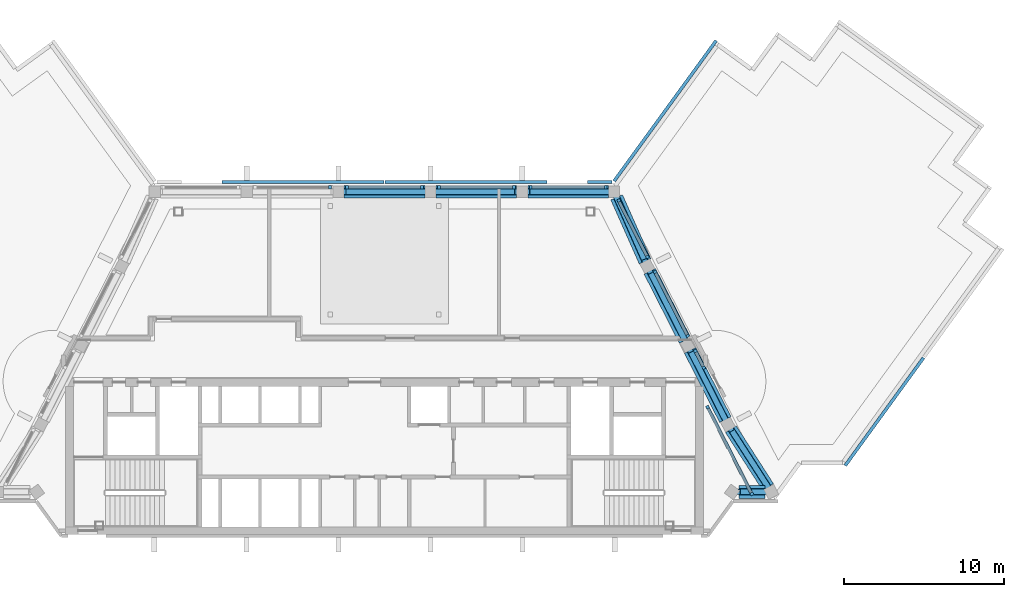
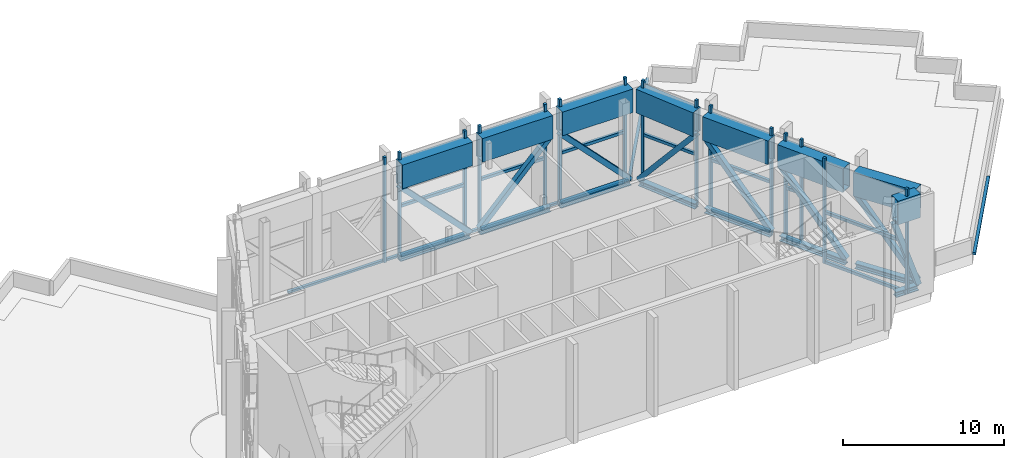
"""IFC4 building model written with IfcOpenShell, lengths in metres."""

from ifc_helpers import new_model, si_unit, direction, frame, origin, origin_2d, place, context, subcontext, project, spatial, rectangle, hollow_rectangle, i_section, extrude, material, material_profile, profile_set, type_object, element, aggregate, save


model = new_model("IFC4")

# Units and contexts
model_context = context("Model", 3, precision=1e-05, world=origin(), true_north=direction((0.0, 1.0)))
body_context = subcontext(model_context, "Body", "Model", "MODEL_VIEW")
ifc_project = project(units=[si_unit("LENGTHUNIT", "METRE"), si_unit("AREAUNIT", "SQUARE_METRE"), si_unit("VOLUMEUNIT", "CUBIC_METRE"), si_unit("PLANEANGLEUNIT", "RADIAN"), si_unit("MASSUNIT", "GRAM", prefix="KILO")], contexts=[model_context])

# Site, building, storey
site_placement = place(None, origin())
site = spatial("IfcSite", under=ifc_project, at=site_placement, CompositionType="ELEMENT")
building_placement = place(site_placement, origin())
building = spatial("IfcBuilding", under=site, at=building_placement, Name="Quipu Civic Tower", CompositionType="ELEMENT")
storey_1_placement = place(building_placement, frame((0.0, 0.0, 355.0)))
storey_1 = spatial("IfcBuildingStorey", under=building, at=storey_1_placement, Name="L83", CompositionType="ELEMENT", Elevation=355.0)

# Beams
ifc_material_1 = material(Name="Steel ASTM A992 Grade 50 (fy 345 MPa)", Category="steel")
ifc_material_profile_1 = material_profile(ifc_material_1, i_section(OverallWidth=0.403564453125, OverallDepth=0.407470703125, WebThickness=0.027099609375, FlangeThickness=0.043701171875, at=origin_2d()), Name="W360x347")
ifc_profile_set_1 = profile_set([ifc_material_profile_1], Name="Steel ASTM A992 Grade 50 (fy 345 MPa)")
beam_type_1 = type_object("IfcBeamType", Name="Belt truss bottom chord W360x347", PredefinedType="BEAM", material=ifc_profile_set_1)
beam_1_placement = place(storey_1_placement, frame((22.224365234375, -8.31494140625, 0.3037109375), z_axis=(1.0, 0.0, 0.0), x_axis=(0.0, 1.0, 0.0)))
element("IfcBeam", 1, at=beam_1_placement, inside=storey_1, type_object=beam_type_1, Name="Truss bottom chord L83 J-Eo.1 to J-Eo.2", PredefinedType="BEAM", context=body_context, shape_type="SweptSolid", body=[
    extrude(i_section(OverallWidth=0.403564453125, OverallDepth=0.407470703125, WebThickness=0.027099609375, FlangeThickness=0.043701171875, at=origin_2d()), origin(), (0.0, 0.0, 1.0), 1.617919921875),
])
beam_2_placement = place(storey_1_placement, frame((24.044921875, -8.01904296875, 0.3037109375), z_axis=(-0.540214613437, 0.841527285017, 0.0), x_axis=(-0.841527285017, -0.540214613437, 0.0)))
element("IfcBeam", 2, at=beam_2_placement, inside=storey_1, type_object=beam_type_1, Name="Truss bottom chord L83 J-Eo.2 to E-SIDE-01", PredefinedType="BEAM", context=body_context, shape_type="SweptSolid", body=[
    extrude(i_section(OverallWidth=0.403564453125, OverallDepth=0.407470703125, WebThickness=0.027099609375, FlangeThickness=0.043701171875, at=origin_2d()), origin(), (0.0, 0.0, 1.0), 4.318603515625),
])
for number, where, z_axis, x_axis, name in (
    (3, (21.363037109375, -3.77685546875, 0.3037109375), (-0.453932554321, 0.89103604648, 0.0), (-0.89103604648, -0.453932554321, 0.0), "Truss bottom chord L83 E-SIDE-01 to E-SIDE-02"),
    (4, (18.83935546875, 1.17724609375, 0.3037109375), (-0.453932554321, 0.89103604648, 0.0), (-0.89103604648, -0.453932554321, 0.0), "Truss bottom chord L83 E-SIDE-02 to E-SIDE-03"),
):
    element("IfcBeam", number, at=place(storey_1_placement, frame(where, z_axis=z_axis, x_axis=x_axis)), inside=storey_1, type_object=beam_type_1, Name=name, PredefinedType="BEAM", context=body_context, shape_type="SweptSolid", body=[
        extrude(i_section(OverallWidth=0.403564453125, OverallDepth=0.407470703125, WebThickness=0.027099609375, FlangeThickness=0.043701171875, at=origin_2d()), origin(), (0.0, 0.0, 1.0), 4.85986328125),
    ])
beam_3_placement = place(storey_1_placement, frame((16.33203125, 6.1396484375, 0.3037109375), z_axis=(-0.405931965604, 0.913903298659, 0.0), x_axis=(-0.913903298659, -0.405931965604, 0.0)))
element("IfcBeam", 5, at=beam_3_placement, inside=storey_1, type_object=beam_type_1, Name="Truss bottom chord L83 E-SIDE-03 to J-Ei.0", PredefinedType="BEAM", context=body_context, shape_type="SweptSolid", body=[
    extrude(i_section(OverallWidth=0.403564453125, OverallDepth=0.407470703125, WebThickness=0.027099609375, FlangeThickness=0.043701171875, at=origin_2d()), origin(), (0.0, 0.0, 1.0), 4.387939453125),
])
for number, where, z_axis, x_axis, name in (
    (6, (14.045166015625, 10.5, 0.3037109375), (-1.0, 0.0, 0.0), (0.0, -1.0, 0.0), "Truss bottom chord L83 J-Ei.0 to FRONT-01"),
    (7, (8.287109375, 10.5, 0.3037109375), (-1.0, 0.0, 0.0), (0.0, -1.0, 0.0), "Truss bottom chord L83 FRONT-01 to FRONT-02"),
    (8, (2.529052734375, 10.5, 0.3037109375), (-1.0, 0.0, 0.0), (0.0, -1.0, 0.0), "Truss bottom chord L83 FRONT-02 to FRONT-03"),
):
    element("IfcBeam", number, at=place(storey_1_placement, frame(where, z_axis=z_axis, x_axis=x_axis)), inside=storey_1, type_object=beam_type_1, Name=name, PredefinedType="BEAM", context=body_context, shape_type="SweptSolid", body=[
        extrude(i_section(OverallWidth=0.403564453125, OverallDepth=0.407470703125, WebThickness=0.027099609375, FlangeThickness=0.043701171875, at=origin_2d()), origin(), (0.0, 0.0, 1.0), 5.05810546875),
    ])

# Members
ifc_material_2 = material(Name="Steel ASTM A500 Grade C (fy 345 MPa)", Category="steel")
ifc_material_profile_2 = material_profile(ifc_material_2, hollow_rectangle(XDim=0.355712890625, YDim=0.355712890625, WallThickness=0.015869140625, at=origin_2d()), Name="HSS356x356x16")
ifc_profile_set_2 = profile_set([ifc_material_profile_2], Name="Steel ASTM A500 Grade C (fy 345 MPa)")
member_type_1 = type_object("IfcMemberType", Name="Belt truss diagonal HSS356x356x16", PredefinedType="BRACE", material=ifc_profile_set_2)
member_1_placement = place(storey_1_placement, frame((22.141845703125, -8.31494140625, 5.75), z_axis=(0.315511808856, 0.0, -0.948921650334), x_axis=(0.0, 1.0, 0.0)))
element("IfcMember", 9, at=member_1_placement, inside=storey_1, type_object=member_type_1, Name="Truss diagonal L83 J-Eo.1 to J-Eo.2", PredefinedType="BRACE", context=body_context, shape_type="SweptSolid", body=[
    extrude(hollow_rectangle(XDim=0.355712890625, YDim=0.355712890625, WallThickness=0.015869140625, at=origin_2d()), origin(), (0.0, 0.0, 1.0), 5.52490234375),
])
member_2_placement = place(storey_1_placement, frame((24.0458984375, -8.0205078125, 0.50732421875), z_axis=(-0.343616411936, 0.535312904426, 0.771600839686), x_axis=(-0.841545346003, -0.540186477636, 0.0)))
element("IfcMember", 10, at=member_2_placement, inside=storey_1, type_object=member_type_1, Name="Truss diagonal L83 J-Eo.2 to E-SIDE-01", PredefinedType="BRACE", context=body_context, shape_type="SweptSolid", body=[
    extrude(hollow_rectangle(XDim=0.355712890625, YDim=0.355712890625, WallThickness=0.015869140625, at=origin_2d()), origin(), (0.0, 0.0, 1.0), 6.79443359375),
])
for number, where, z_axis, x_axis, name in (
    (11, (21.363037109375, -3.77685546875, 0.50732421875), (-0.308594905717, 0.605748986576, 0.733373949243), (-0.89103604648, -0.453932554321, 0.0), "Truss diagonal L83 E-SIDE-01 to E-SIDE-02"),
    (12, (18.83935546875, 1.17724609375, 0.50732421875), (-0.308594905717, 0.605748986576, 0.733373949243), (-0.89103604648, -0.453932554321, 0.0), "Truss diagonal L83 E-SIDE-02 to E-SIDE-03"),
):
    element("IfcMember", number, at=place(storey_1_placement, frame(where, z_axis=z_axis, x_axis=x_axis)), inside=storey_1, type_object=member_type_1, Name=name, PredefinedType="BRACE", context=body_context, shape_type="SweptSolid", body=[
        extrude(hollow_rectangle(XDim=0.355712890625, YDim=0.355712890625, WallThickness=0.015869140625, at=origin_2d()), origin(), (0.0, 0.0, 1.0), 7.148681640625),
    ])
member_3_placement = place(storey_1_placement, frame((16.332275390625, 6.13916015625, 5.75), z_axis=(-0.261712709864, 0.589209572044, -0.76442039331), x_axis=(-0.913902600331, -0.405933537798, 0.0)))
element("IfcMember", 13, at=member_3_placement, inside=storey_1, type_object=member_type_1, Name="Truss diagonal L83 E-SIDE-03 to J-Ei.0", PredefinedType="BRACE", context=body_context, shape_type="SweptSolid", body=[
    extrude(hollow_rectangle(XDim=0.355712890625, YDim=0.355712890625, WallThickness=0.015869140625, at=origin_2d()), origin(), (0.0, 0.0, 1.0), 6.8583984375),
])
for number, where, z_axis, x_axis, name in (
    (14, (14.045166015625, 10.5, 0.50732421875), (-0.694325328762, 0.0, 0.719661266041), (0.0, -1.0, 0.0), "Truss diagonal L83 J-Ei.0 to FRONT-01"),
    (15, (8.287109375, 10.5, 5.75), (-0.694325328762, 0.0, -0.719661266041), (0.0, -1.0, 0.0), "Truss diagonal L83 FRONT-01 to FRONT-02"),
    (16, (2.529052734375, 10.5, 0.50732421875), (-0.694325328762, 0.0, 0.719661266041), (0.0, -1.0, 0.0), "Truss diagonal L83 FRONT-02 to FRONT-03"),
):
    element("IfcMember", number, at=place(storey_1_placement, frame(where, z_axis=z_axis, x_axis=x_axis)), inside=storey_1, type_object=member_type_1, Name=name, PredefinedType="BRACE", context=body_context, shape_type="SweptSolid", body=[
        extrude(hollow_rectangle(XDim=0.355712890625, YDim=0.355712890625, WallThickness=0.015869140625, at=origin_2d()), origin(), (0.0, 0.0, 1.0), 7.284912109375),
    ])

# Beams
ifc_material_3 = material(Name="Steel ASTM A572 Grade 50 (fy 345 MPa)", Category="steel")
ifc_material_profile_3 = material_profile(ifc_material_3, hollow_rectangle(XDim=0.800048828125, YDim=1.800048828125, WallThickness=0.050048828125, at=origin_2d()), Name="BX1800x800x50")
ifc_profile_set_3 = profile_set([ifc_material_profile_3], Name="Steel ASTM A572 Grade 50 (fy 345 MPa)")
beam_type_2 = type_object("IfcBeamType", Name="Belt truss top chord BX1800x800x50", PredefinedType="BEAM", material=ifc_profile_set_3)
beam_4_placement = place(storey_1_placement, frame((22.224365234375, -8.31494140625, 6.64990234375), z_axis=(1.0, 0.0, 0.0), x_axis=(0.0, 1.0, 0.0)))
element("IfcBeam", 17, at=beam_4_placement, inside=storey_1, type_object=beam_type_2, Name="Truss top chord L83 J-Eo.1 to J-Eo.2", PredefinedType="BEAM", context=body_context, shape_type="SweptSolid", body=[
    extrude(hollow_rectangle(XDim=0.800048828125, YDim=1.800048828125, WallThickness=0.050048828125, at=origin_2d()), origin(), (0.0, 0.0, 1.0), 1.617919921875),
])
beam_5_placement = place(storey_1_placement, frame((24.044921875, -8.01904296875, 6.64990234375), z_axis=(-0.540214613437, 0.841527285017, 0.0), x_axis=(-0.841527285017, -0.540214613437, 0.0)))
element("IfcBeam", 18, at=beam_5_placement, inside=storey_1, type_object=beam_type_2, Name="Truss top chord L83 J-Eo.2 to E-SIDE-01", PredefinedType="BEAM", context=body_context, shape_type="SweptSolid", body=[
    extrude(hollow_rectangle(XDim=0.800048828125, YDim=1.800048828125, WallThickness=0.050048828125, at=origin_2d()), origin(), (0.0, 0.0, 1.0), 4.318603515625),
])
for number, where, z_axis, x_axis, name in (
    (19, (21.363037109375, -3.77685546875, 6.64990234375), (-0.453932554321, 0.89103604648, 0.0), (-0.89103604648, -0.453932554321, 0.0), "Truss top chord L83 E-SIDE-01 to E-SIDE-02"),
    (20, (18.83935546875, 1.17724609375, 6.64990234375), (-0.453932554321, 0.89103604648, 0.0), (-0.89103604648, -0.453932554321, 0.0), "Truss top chord L83 E-SIDE-02 to E-SIDE-03"),
):
    element("IfcBeam", number, at=place(storey_1_placement, frame(where, z_axis=z_axis, x_axis=x_axis)), inside=storey_1, type_object=beam_type_2, Name=name, PredefinedType="BEAM", context=body_context, shape_type="SweptSolid", body=[
        extrude(hollow_rectangle(XDim=0.800048828125, YDim=1.800048828125, WallThickness=0.050048828125, at=origin_2d()), origin(), (0.0, 0.0, 1.0), 4.85986328125),
    ])
beam_6_placement = place(storey_1_placement, frame((16.33203125, 6.1396484375, 6.64990234375), z_axis=(-0.405931965604, 0.913903298659, 0.0), x_axis=(-0.913903298659, -0.405931965604, 0.0)))
element("IfcBeam", 21, at=beam_6_placement, inside=storey_1, type_object=beam_type_2, Name="Truss top chord L83 E-SIDE-03 to J-Ei.0", PredefinedType="BEAM", context=body_context, shape_type="SweptSolid", body=[
    extrude(hollow_rectangle(XDim=0.800048828125, YDim=1.800048828125, WallThickness=0.050048828125, at=origin_2d()), origin(), (0.0, 0.0, 1.0), 4.387939453125),
])
for number, where, z_axis, x_axis, name in (
    (22, (14.045166015625, 10.5, 6.64990234375), (-1.0, 0.0, 0.0), (0.0, -1.0, 0.0), "Truss top chord L83 J-Ei.0 to FRONT-01"),
    (23, (8.287109375, 10.5, 6.64990234375), (-1.0, 0.0, 0.0), (0.0, -1.0, 0.0), "Truss top chord L83 FRONT-01 to FRONT-02"),
    (24, (2.529052734375, 10.5, 6.64990234375), (-1.0, 0.0, 0.0), (0.0, -1.0, 0.0), "Truss top chord L83 FRONT-02 to FRONT-03"),
):
    element("IfcBeam", number, at=place(storey_1_placement, frame(where, z_axis=z_axis, x_axis=x_axis)), inside=storey_1, type_object=beam_type_2, Name=name, PredefinedType="BEAM", context=body_context, shape_type="SweptSolid", body=[
        extrude(hollow_rectangle(XDim=0.800048828125, YDim=1.800048828125, WallThickness=0.050048828125, at=origin_2d()), origin(), (0.0, 0.0, 1.0), 5.05810546875),
    ])

# Curtain wall, members
ifc_material_4 = material(Name="Insulated glass unit", Category="glass")
curtain_wall_type_1 = type_object("IfcCurtainWallType", Name="Damper hall glazing CW7", PredefinedType="NOTDEFINED", material=ifc_material_4)
curtain_wall_1_placement = place(storey_1_placement, origin())
curtain_wall_1 = element("IfcCurtainWall", 25, at=curtain_wall_1_placement, inside=storey_1, type_object=curtain_wall_type_1, Name="Damper hall glazing CW7 L83 run 14a", PredefinedType="NOTDEFINED")
ifc_material_5 = material(Name="Anodised aluminium", Category="aluminium")
ifc_material_profile_4 = material_profile(ifc_material_5, rectangle(XDim=0.199951171875, YDim=0.179931640625, at=origin_2d()), Name="RECT 200x180")
ifc_profile_set_4 = profile_set([ifc_material_profile_4], Name="Anodised aluminium")
member_type_2 = type_object("IfcMemberType", Name="Mullion CW7", PredefinedType="MULLION", material=ifc_profile_set_4)
member_4_placement = place(storey_1_placement, frame((20.02001953125, -0.531982421875, 0.110107421875), z_axis=(0.0, 0.0, 1.0), x_axis=(-0.891000166704, -0.454002976789, 0.0)))
member_4 = element("IfcMember", 26, at=member_4_placement, type_object=member_type_2, Name="CW7 mullion 1", PredefinedType="MULLION", context=body_context, shape_type="SweptSolid", body=[
    extrude(rectangle(XDim=0.199951171875, YDim=0.179931640625, at=origin_2d()), origin(), (0.0, 0.0, 1.0), 8.0),
])
member_5_placement = place(storey_1_placement, frame((19.48486328125, 0.51806640625, 0.110107421875), z_axis=(0.0, 0.0, 1.0), x_axis=(-0.891000166704, -0.454002976789, 0.0)))
member_5 = element("IfcMember", 27, at=member_5_placement, type_object=member_type_2, Name="CW7 mullion 2", PredefinedType="MULLION", context=body_context, shape_type="SweptSolid", body=[
    extrude(rectangle(XDim=0.199951171875, YDim=0.179931640625, at=origin_2d()), origin(), (0.0, 0.0, 1.0), 8.0),
])

curtain_wall_2_placement = place(storey_1_placement, origin())
curtain_wall_2 = element("IfcCurtainWall", 28, at=curtain_wall_2_placement, inside=storey_1, type_object=curtain_wall_type_1, Name="Damper hall glazing CW7 L83 run 14b", PredefinedType="NOTDEFINED")
member_6_placement = place(storey_1_placement, frame((19.003173828125, 1.46337890625, 0.110107421875), z_axis=(0.0, 0.0, 1.0), x_axis=(-0.891011767305, -0.453980209397, 0.0)))
member_6 = element("IfcMember", 29, at=member_6_placement, type_object=member_type_2, Name="CW7 mullion 1", PredefinedType="MULLION", context=body_context, shape_type="SweptSolid", body=[
    extrude(rectangle(XDim=0.199951171875, YDim=0.179931640625, at=origin_2d()), origin(), (0.0, 0.0, 1.0), 8.0),
])
member_7_placement = place(storey_1_placement, frame((16.9609375, 5.471923828125, 0.110107421875), z_axis=(0.0, 0.0, 1.0), x_axis=(-0.891011767305, -0.453980209397, 0.0)))
member_7 = element("IfcMember", 30, at=member_7_placement, type_object=member_type_2, Name="CW7 mullion 2", PredefinedType="MULLION", context=body_context, shape_type="SweptSolid", body=[
    extrude(rectangle(XDim=0.199951171875, YDim=0.179931640625, at=origin_2d()), origin(), (0.0, 0.0, 1.0), 8.0),
])

curtain_wall_3_placement = place(storey_1_placement, origin())
curtain_wall_3 = element("IfcCurtainWall", 31, at=curtain_wall_3_placement, inside=storey_1, type_object=curtain_wall_type_1, Name="Damper hall glazing CW7 L83 run 14c", PredefinedType="NOTDEFINED")
member_8_placement = place(storey_1_placement, frame((16.479248046875, 6.417236328125, 0.110107421875), z_axis=(0.0, 0.0, 1.0), x_axis=(-0.891018287032, -0.453967413121, 0.0)))
member_8 = element("IfcMember", 32, at=member_8_placement, type_object=member_type_2, Name="CW7 mullion 1", PredefinedType="MULLION", context=body_context, shape_type="SweptSolid", body=[
    extrude(rectangle(XDim=0.199951171875, YDim=0.179931640625, at=origin_2d()), origin(), (0.0, 0.0, 1.0), 8.0),
])
member_9_placement = place(storey_1_placement, frame((14.682373046875, 9.94384765625, 0.110107421875), z_axis=(0.0, 0.0, 1.0), x_axis=(-0.891018287032, -0.453967413121, 0.0)))
member_9 = element("IfcMember", 33, at=member_9_placement, type_object=member_type_2, Name="CW7 mullion 2", PredefinedType="MULLION", context=body_context, shape_type="SweptSolid", body=[
    extrude(rectangle(XDim=0.199951171875, YDim=0.179931640625, at=origin_2d()), origin(), (0.0, 0.0, 1.0), 8.0),
])

curtain_wall_4_placement = place(storey_1_placement, origin())
curtain_wall_4 = element("IfcCurtainWall", 34, at=curtain_wall_4_placement, inside=storey_1, type_object=curtain_wall_type_1, Name="Damper hall glazing CW7 L83 run 15a", PredefinedType="NOTDEFINED")
member_10_placement = place(storey_1_placement, frame((13.86474609375, 10.77587890625, 0.110107421875), z_axis=(0.0, 0.0, 1.0), x_axis=(0.0, -1.0, 0.0)))
member_10 = element("IfcMember", 35, at=member_10_placement, type_object=member_type_2, Name="CW7 mullion 1", PredefinedType="MULLION", context=body_context, shape_type="SweptSolid", body=[
    extrude(rectangle(XDim=0.199951171875, YDim=0.179931640625, at=origin_2d()), origin(), (0.0, 0.0, 1.0), 8.0),
])
member_11_placement = place(storey_1_placement, frame((9.16748046875, 10.77587890625, 0.110107421875), z_axis=(0.0, 0.0, 1.0), x_axis=(0.0, -1.0, 0.0)))
member_11 = element("IfcMember", 36, at=member_11_placement, type_object=member_type_2, Name="CW7 mullion 2", PredefinedType="MULLION", context=body_context, shape_type="SweptSolid", body=[
    extrude(rectangle(XDim=0.199951171875, YDim=0.179931640625, at=origin_2d()), origin(), (0.0, 0.0, 1.0), 8.0),
])

curtain_wall_5_placement = place(storey_1_placement, origin())
curtain_wall_5 = element("IfcCurtainWall", 37, at=curtain_wall_5_placement, inside=storey_1, type_object=curtain_wall_type_1, Name="Damper hall glazing CW7 L83 run 15b", PredefinedType="NOTDEFINED")
member_12_placement = place(storey_1_placement, frame((8.106689453125, 10.77587890625, 0.110107421875), z_axis=(0.0, 0.0, 1.0), x_axis=(0.0, -1.0, 0.0)))
member_12 = element("IfcMember", 38, at=member_12_placement, type_object=member_type_2, Name="CW7 mullion 1", PredefinedType="MULLION", context=body_context, shape_type="SweptSolid", body=[
    extrude(rectangle(XDim=0.199951171875, YDim=0.179931640625, at=origin_2d()), origin(), (0.0, 0.0, 1.0), 8.0),
])
member_13_placement = place(storey_1_placement, frame((3.409423828125, 10.77587890625, 0.110107421875), z_axis=(0.0, 0.0, 1.0), x_axis=(0.0, -1.0, 0.0)))
member_13 = element("IfcMember", 39, at=member_13_placement, type_object=member_type_2, Name="CW7 mullion 2", PredefinedType="MULLION", context=body_context, shape_type="SweptSolid", body=[
    extrude(rectangle(XDim=0.199951171875, YDim=0.179931640625, at=origin_2d()), origin(), (0.0, 0.0, 1.0), 8.0),
])

curtain_wall_6_placement = place(storey_1_placement, origin())
curtain_wall_6 = element("IfcCurtainWall", 40, at=curtain_wall_6_placement, inside=storey_1, type_object=curtain_wall_type_1, Name="Damper hall glazing CW7 L83 run 15c", PredefinedType="NOTDEFINED")
member_14_placement = place(storey_1_placement, frame((2.348388671875, 10.77587890625, 0.110107421875), z_axis=(0.0, 0.0, 1.0), x_axis=(0.0, -1.0, 0.0)))
member_14 = element("IfcMember", 41, at=member_14_placement, type_object=member_type_2, Name="CW7 mullion 1", PredefinedType="MULLION", context=body_context, shape_type="SweptSolid", body=[
    extrude(rectangle(XDim=0.199951171875, YDim=0.179931640625, at=origin_2d()), origin(), (0.0, 0.0, 1.0), 8.0),
])
member_15_placement = place(storey_1_placement, frame((-2.348388671875, 10.77587890625, 0.110107421875), z_axis=(0.0, 0.0, 1.0), x_axis=(0.0, -1.0, 0.0)))
member_15 = element("IfcMember", 42, at=member_15_placement, type_object=member_type_2, Name="CW7 mullion 2", PredefinedType="MULLION", context=body_context, shape_type="SweptSolid", body=[
    extrude(rectangle(XDim=0.199951171875, YDim=0.179931640625, at=origin_2d()), origin(), (0.0, 0.0, 1.0), 8.0),
])

# Curtain wall, member
curtain_wall_7_placement = place(storey_1_placement, origin())
curtain_wall_7 = element("IfcCurtainWall", 43, at=curtain_wall_7_placement, inside=storey_1, type_object=curtain_wall_type_1, Name="Damper hall glazing CW7 L83 run 15d", PredefinedType="NOTDEFINED")
member_16_placement = place(storey_1_placement, frame((-3.409423828125, 10.77587890625, 0.110107421875), z_axis=(0.0, 0.0, 1.0), x_axis=(0.0, -1.0, 0.0)))
member_16 = element("IfcMember", 44, at=member_16_placement, type_object=member_type_2, Name="CW7 mullion 1", PredefinedType="MULLION", context=body_context, shape_type="SweptSolid", body=[
    extrude(rectangle(XDim=0.199951171875, YDim=0.179931640625, at=origin_2d()), origin(), (0.0, 0.0, 1.0), 8.0),
])
aggregate(curtain_wall_7, [member_16])

# Curtain wall, members
ifc_material_6 = material(Name="Anodised aluminium insulated panel", Category="aluminium")
curtain_wall_type_2 = type_object("IfcCurtainWallType", Name="Insulated infill wall CW7I", PredefinedType="NOTDEFINED", material=ifc_material_6)
curtain_wall_8_placement = place(storey_1_placement, origin())
curtain_wall_8 = element("IfcCurtainWall", 45, at=curtain_wall_8_placement, inside=storey_1, type_object=curtain_wall_type_2, Name="Insulated infill wall CW7I L83 run 12", PredefinedType="NOTDEFINED")
ifc_material_7 = material(Name="Anodised aluminium", Category="aluminium")
ifc_material_profile_5 = material_profile(ifc_material_7, rectangle(XDim=0.199951171875, YDim=0.179931640625, at=origin_2d()), Name="RECT 200x180")
ifc_profile_set_5 = profile_set([ifc_material_profile_5], Name="Anodised aluminium")
member_type_3 = type_object("IfcMemberType", Name="Mullion CW7I", PredefinedType="MULLION", material=ifc_profile_set_5)
member_17_placement = place(storey_1_placement, frame((23.021728515625, -8.439208984375, 0.110107421875), z_axis=(0.0, 0.0, 1.0), x_axis=(-0.891000773258, -0.454001786399, 0.0)))
member_17 = element("IfcMember", 46, at=member_17_placement, type_object=member_type_3, Name="CW7I mullion 1", PredefinedType="MULLION", context=body_context, shape_type="SweptSolid", body=[
    extrude(rectangle(XDim=0.199951171875, YDim=0.179931640625, at=origin_2d()), origin(), (0.0, 0.0, 1.0), 8.0),
])
member_18_placement = place(storey_1_placement, frame((20.249267578125, -2.997802734375, 0.110107421875), z_axis=(0.0, 0.0, 1.0), x_axis=(-0.891000773258, -0.454001786399, 0.0)))
member_18 = element("IfcMember", 47, at=member_18_placement, type_object=member_type_3, Name="CW7I mullion 2", PredefinedType="MULLION", context=body_context, shape_type="SweptSolid", body=[
    extrude(rectangle(XDim=0.199951171875, YDim=0.179931640625, at=origin_2d()), origin(), (0.0, 0.0, 1.0), 8.0),
])

# Storey
storey_2_placement = place(building_placement, frame((0.0, 0.0, 347.0)))
storey_2 = spatial("IfcBuildingStorey", under=building, at=storey_2_placement, Name="L81", CompositionType="ELEMENT", Elevation=347.0)

# Curtain wall, member
ifc_material_8 = material(Name="Insulated glass unit", Category="glass")
curtain_wall_type_3 = type_object("IfcCurtainWallType", Name="Office curtain wall CW1", PredefinedType="NOTDEFINED", material=ifc_material_8)
curtain_wall_9_placement = place(storey_2_placement, origin())
curtain_wall_9 = element("IfcCurtainWall", 48, at=curtain_wall_9_placement, inside=storey_2, type_object=curtain_wall_type_3, Name="Office curtain wall CW1 L80 run 26", PredefinedType="NOTDEFINED")
ifc_material_9 = material(Name="Anodised aluminium", Category="aluminium")
ifc_material_profile_6 = material_profile(ifc_material_9, rectangle(XDim=0.199951171875, YDim=0.159912109375, at=origin_2d()), Name="RECT 200x160")
ifc_profile_set_6 = profile_set([ifc_material_profile_6], Name="Anodised aluminium")
member_type_4 = type_object("IfcMemberType", Name="Transom CW1", PredefinedType="USERDEFINED", material=ifc_profile_set_6)
member_19_placement = place(storey_1_placement, frame((20.788818359375, 19.97021484375, 0.0), z_axis=(-0.587796859727, -0.809008560953, 0.0), x_axis=(0.809008560953, -0.587796859727, 0.0)))
member_19 = element("IfcMember", 49, at=member_19_placement, inside=storey_1, type_object=member_type_4, Name="CW1 transom 1.4", ObjectType="TRANSOM", PredefinedType="USERDEFINED", context=body_context, shape_type="SweptSolid", body=[
    extrude(rectangle(XDim=0.199951171875, YDim=0.159912109375, at=origin_2d()), origin(), (0.0, 0.0, 1.0), 10.88427734375),
])
aggregate(curtain_wall_9, [member_19])

curtain_wall_10_placement = place(storey_2_placement, origin())
curtain_wall_10 = element("IfcCurtainWall", 50, at=curtain_wall_10_placement, inside=storey_2, type_object=curtain_wall_type_3, Name="Office curtain wall CW1 L80 run 27", PredefinedType="NOTDEFINED")
member_20_placement = place(storey_1_placement, frame((14.26416015625, 11.10009765625, 0.0), z_axis=(-1.0, 0.0, 0.0), x_axis=(0.0, -1.0, 0.0)))
member_20 = element("IfcMember", 51, at=member_20_placement, inside=storey_1, type_object=member_type_4, Name="CW1 transom 1.4", ObjectType="TRANSOM", PredefinedType="USERDEFINED", context=body_context, shape_type="SweptSolid", body=[
    extrude(rectangle(XDim=0.199951171875, YDim=0.159912109375, at=origin_2d()), origin(), (0.0, 0.0, 1.0), 1.529052734375),
])
aggregate(curtain_wall_10, [member_20])

# Curtain wall, members
curtain_wall_11_placement = place(storey_2_placement, origin())
curtain_wall_11 = element("IfcCurtainWall", 52, at=curtain_wall_11_placement, inside=storey_2, type_object=curtain_wall_type_3, Name="Office curtain wall CW1 L80 run 29", PredefinedType="NOTDEFINED")
member_21_placement = place(storey_1_placement, frame((10.18359375, 11.10009765625, 0.0), z_axis=(-1.0, 0.0, 0.0), x_axis=(0.0, -1.0, 0.0)))
member_21 = element("IfcMember", 53, at=member_21_placement, inside=storey_1, type_object=member_type_4, Name="CW1 transom 1.4", ObjectType="TRANSOM", PredefinedType="USERDEFINED", context=body_context, shape_type="SweptSolid", body=[
    extrude(rectangle(XDim=0.199951171875, YDim=0.159912109375, at=origin_2d()), origin(), (0.0, 0.0, 1.0), 10.1435546875),
])
member_22_placement = place(storey_1_placement, frame((-0.0400390625, 11.10009765625, 0.0), z_axis=(-1.0, 0.0, 0.0), x_axis=(0.0, -1.0, 0.0)))
member_22 = element("IfcMember", 54, at=member_22_placement, inside=storey_1, type_object=member_type_4, Name="CW1 transom 2.4", ObjectType="TRANSOM", PredefinedType="USERDEFINED", context=body_context, shape_type="SweptSolid", body=[
    extrude(rectangle(XDim=0.199951171875, YDim=0.159912109375, at=origin_2d()), origin(), (0.0, 0.0, 1.0), 10.1435546875),
])
aggregate(curtain_wall_11, [member_21, member_22])

# Storey
storey_3_placement = place(building_placement, frame((0.0, 0.0, 351.0)))
storey_3 = spatial("IfcBuildingStorey", under=building, at=storey_3_placement, Name="L82", CompositionType="ELEMENT", Elevation=351.0)

# Curtain wall, member
curtain_wall_12_placement = place(storey_3_placement, origin())
curtain_wall_12 = element("IfcCurtainWall", 55, at=curtain_wall_12_placement, inside=storey_3, type_object=curtain_wall_type_3, Name="Office curtain wall CW1 L81 run 4", PredefinedType="NOTDEFINED")
member_23_placement = place(storey_1_placement, frame((28.876708984375, -6.66650390625, 0.0), z_axis=(0.587812107925, 0.808997481935, 0.0), x_axis=(-0.808997481935, 0.587812107925, 0.0)))
member_23 = element("IfcMember", 56, at=member_23_placement, inside=storey_1, type_object=member_type_4, Name="CW1 transom 1.3", ObjectType="TRANSOM", PredefinedType="USERDEFINED", context=body_context, shape_type="SweptSolid", body=[
    extrude(rectangle(XDim=0.199951171875, YDim=0.159912109375, at=origin_2d()), origin(), (0.0, 0.0, 1.0), 8.35791015625),
])
aggregate(curtain_wall_12, [member_23])

# Member
ifc_material_10 = material(Name="Anodised aluminium", Category="aluminium")
ifc_material_profile_7 = material_profile(ifc_material_10, rectangle(XDim=0.199951171875, YDim=0.219970703125, at=origin_2d()), Name="RECT 200x220")
ifc_profile_set_7 = profile_set([ifc_material_profile_7], Name="Anodised aluminium")
member_type_5 = type_object("IfcMemberType", Name="Transom CW7", PredefinedType="USERDEFINED", material=ifc_profile_set_7)
member_24_placement = place(storey_1_placement, frame((19.97900390625, -0.45166015625, 0.219970703125), z_axis=(-0.453951428876, 0.891026430709, 0.0), x_axis=(-0.891026430709, -0.453951428876, 0.0)))
member_24 = element("IfcMember", 57, at=member_24_placement, type_object=member_type_5, Name="CW7 transom 1.1", ObjectType="TRANSOM", PredefinedType="USERDEFINED", context=body_context, shape_type="SweptSolid", body=[
    extrude(rectangle(XDim=0.199951171875, YDim=0.219970703125, at=origin_2d()), origin(), (0.0, 0.0, 1.0), 0.998291015625),
])

member_25_placement = place(storey_1_placement, frame((19.97900390625, -0.45166015625, 4.0), z_axis=(-0.453951428876, 0.891026430709, 0.0), x_axis=(-0.891026430709, -0.453951428876, 0.0)))
member_25 = element("IfcMember", 58, at=member_25_placement, type_object=member_type_5, Name="CW7 transom 1.2", ObjectType="TRANSOM", PredefinedType="USERDEFINED", context=body_context, shape_type="SweptSolid", body=[
    extrude(rectangle(XDim=0.199951171875, YDim=0.219970703125, at=origin_2d()), origin(), (0.0, 0.0, 1.0), 0.998291015625),
])

aggregate(curtain_wall_1, [member_4, member_5, member_24, member_25])

member_26_placement = place(storey_1_placement, frame((18.96240234375, 1.543701171875, 0.219970703125), z_axis=(-0.454007077981, 0.890998076958, 0.0), x_axis=(-0.890998076958, -0.454007077981, 0.0)))
member_26 = element("IfcMember", 59, at=member_26_placement, type_object=member_type_5, Name="CW7 transom 1.1", ObjectType="TRANSOM", PredefinedType="USERDEFINED", context=body_context, shape_type="SweptSolid", body=[
    extrude(rectangle(XDim=0.199951171875, YDim=0.219970703125, at=origin_2d()), origin(), (0.0, 0.0, 1.0), 4.318603515625),
])

member_27_placement = place(storey_1_placement, frame((18.96240234375, 1.543701171875, 4.0), z_axis=(-0.454007077981, 0.890998076958, 0.0), x_axis=(-0.890998076958, -0.454007077981, 0.0)))
member_27 = element("IfcMember", 60, at=member_27_placement, type_object=member_type_5, Name="CW7 transom 1.2", ObjectType="TRANSOM", PredefinedType="USERDEFINED", context=body_context, shape_type="SweptSolid", body=[
    extrude(rectangle(XDim=0.199951171875, YDim=0.219970703125, at=origin_2d()), origin(), (0.0, 0.0, 1.0), 4.318603515625),
])

aggregate(curtain_wall_2, [member_6, member_7, member_26, member_27])

member_28_placement = place(storey_1_placement, frame((16.438232421875, 6.497314453125, 0.219970703125), z_axis=(-0.453973215679, 0.891015330646, 0.0), x_axis=(-0.891015330646, -0.453973215679, 0.0)))
member_28 = element("IfcMember", 61, at=member_28_placement, type_object=member_type_5, Name="CW7 transom 1.1", ObjectType="TRANSOM", PredefinedType="USERDEFINED", context=body_context, shape_type="SweptSolid", body=[
    extrude(rectangle(XDim=0.199951171875, YDim=0.219970703125, at=origin_2d()), origin(), (0.0, 0.0, 1.0), 3.77783203125),
])

member_29_placement = place(storey_1_placement, frame((16.438232421875, 6.497314453125, 4.0), z_axis=(-0.453973215679, 0.891015330646, 0.0), x_axis=(-0.891015330646, -0.453973215679, 0.0)))
member_29 = element("IfcMember", 62, at=member_29_placement, type_object=member_type_5, Name="CW7 transom 1.2", ObjectType="TRANSOM", PredefinedType="USERDEFINED", context=body_context, shape_type="SweptSolid", body=[
    extrude(rectangle(XDim=0.199951171875, YDim=0.219970703125, at=origin_2d()), origin(), (0.0, 0.0, 1.0), 3.77783203125),
])

aggregate(curtain_wall_3, [member_8, member_9, member_28, member_29])

member_30_placement = place(storey_1_placement, frame((13.774658203125, 10.77587890625, 0.219970703125), z_axis=(-1.0, 0.0, 0.0), x_axis=(0.0, -1.0, 0.0)))
member_30 = element("IfcMember", 63, at=member_30_placement, type_object=member_type_5, Name="CW7 transom 1.1", ObjectType="TRANSOM", PredefinedType="USERDEFINED", context=body_context, shape_type="SweptSolid", body=[
    extrude(rectangle(XDim=0.199951171875, YDim=0.219970703125, at=origin_2d()), origin(), (0.0, 0.0, 1.0), 4.51708984375),
])

member_31_placement = place(storey_1_placement, frame((13.774658203125, 10.77587890625, 4.0), z_axis=(-1.0, 0.0, 0.0), x_axis=(0.0, -1.0, 0.0)))
member_31 = element("IfcMember", 64, at=member_31_placement, type_object=member_type_5, Name="CW7 transom 1.2", ObjectType="TRANSOM", PredefinedType="USERDEFINED", context=body_context, shape_type="SweptSolid", body=[
    extrude(rectangle(XDim=0.199951171875, YDim=0.219970703125, at=origin_2d()), origin(), (0.0, 0.0, 1.0), 4.51708984375),
])

aggregate(curtain_wall_4, [member_10, member_11, member_30, member_31])

member_32_placement = place(storey_1_placement, frame((8.0166015625, 10.77587890625, 0.219970703125), z_axis=(-1.0, 0.0, 0.0), x_axis=(0.0, -1.0, 0.0)))
member_32 = element("IfcMember", 65, at=member_32_placement, type_object=member_type_5, Name="CW7 transom 1.1", ObjectType="TRANSOM", PredefinedType="USERDEFINED", context=body_context, shape_type="SweptSolid", body=[
    extrude(rectangle(XDim=0.199951171875, YDim=0.219970703125, at=origin_2d()), origin(), (0.0, 0.0, 1.0), 4.51708984375),
])

member_33_placement = place(storey_1_placement, frame((8.0166015625, 10.77587890625, 4.0), z_axis=(-1.0, 0.0, 0.0), x_axis=(0.0, -1.0, 0.0)))
member_33 = element("IfcMember", 66, at=member_33_placement, type_object=member_type_5, Name="CW7 transom 1.2", ObjectType="TRANSOM", PredefinedType="USERDEFINED", context=body_context, shape_type="SweptSolid", body=[
    extrude(rectangle(XDim=0.199951171875, YDim=0.219970703125, at=origin_2d()), origin(), (0.0, 0.0, 1.0), 4.51708984375),
])

aggregate(curtain_wall_5, [member_12, member_13, member_32, member_33])

member_34_placement = place(storey_1_placement, frame((2.258544921875, 10.77587890625, 0.219970703125), z_axis=(-1.0, 0.0, 0.0), x_axis=(0.0, -1.0, 0.0)))
member_34 = element("IfcMember", 67, at=member_34_placement, type_object=member_type_5, Name="CW7 transom 1.1", ObjectType="TRANSOM", PredefinedType="USERDEFINED", context=body_context, shape_type="SweptSolid", body=[
    extrude(rectangle(XDim=0.199951171875, YDim=0.219970703125, at=origin_2d()), origin(), (0.0, 0.0, 1.0), 4.51708984375),
])

member_35_placement = place(storey_1_placement, frame((2.258544921875, 10.77587890625, 4.0), z_axis=(-1.0, 0.0, 0.0), x_axis=(0.0, -1.0, 0.0)))
member_35 = element("IfcMember", 68, at=member_35_placement, type_object=member_type_5, Name="CW7 transom 1.2", ObjectType="TRANSOM", PredefinedType="USERDEFINED", context=body_context, shape_type="SweptSolid", body=[
    extrude(rectangle(XDim=0.199951171875, YDim=0.219970703125, at=origin_2d()), origin(), (0.0, 0.0, 1.0), 4.51708984375),
])

aggregate(curtain_wall_6, [member_14, member_15, member_34, member_35])

ifc_material_11 = material(Name="Anodised aluminium", Category="aluminium")
ifc_material_profile_8 = material_profile(ifc_material_11, rectangle(XDim=0.199951171875, YDim=0.219970703125, at=origin_2d()), Name="RECT 200x220")
ifc_profile_set_8 = profile_set([ifc_material_profile_8], Name="Anodised aluminium")
member_type_6 = type_object("IfcMemberType", Name="Transom CW7I", PredefinedType="USERDEFINED", material=ifc_profile_set_8)
member_36_placement = place(storey_1_placement, frame((22.98095703125, -8.359130859375, 0.219970703125), z_axis=(-0.453988716827, 0.891007432626, 0.0), x_axis=(-0.891007432626, -0.453988716827, 0.0)))
member_36 = element("IfcMember", 69, at=member_36_placement, type_object=member_type_6, Name="CW7I transom 1.1", ObjectType="TRANSOM", PredefinedType="USERDEFINED", context=body_context, shape_type="SweptSolid", body=[
    extrude(rectangle(XDim=0.199951171875, YDim=0.219970703125, at=origin_2d()), origin(), (0.0, 0.0, 1.0), 5.92724609375),
])

member_37_placement = place(storey_1_placement, frame((22.98095703125, -8.359130859375, 4.0), z_axis=(-0.453988716827, 0.891007432626, 0.0), x_axis=(-0.891007432626, -0.453988716827, 0.0)))
member_37 = element("IfcMember", 70, at=member_37_placement, type_object=member_type_6, Name="CW7I transom 1.2", ObjectType="TRANSOM", PredefinedType="USERDEFINED", context=body_context, shape_type="SweptSolid", body=[
    extrude(rectangle(XDim=0.199951171875, YDim=0.219970703125, at=origin_2d()), origin(), (0.0, 0.0, 1.0), 5.92724609375),
])

aggregate(curtain_wall_8, [member_17, member_18, member_36, member_37])

save(model, "model.ifc")
